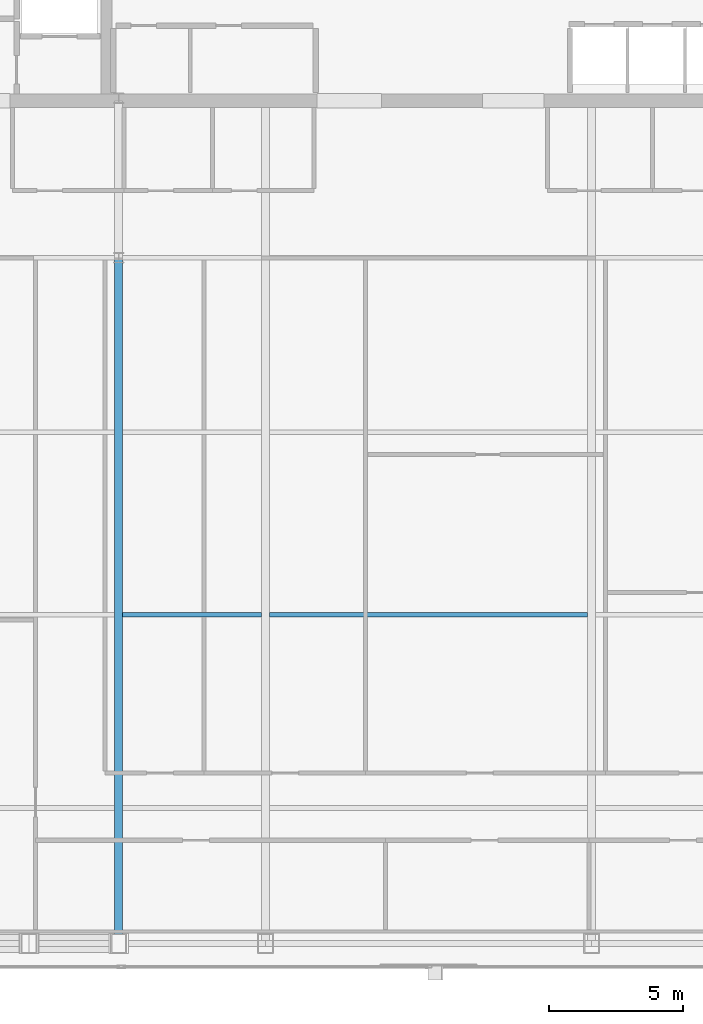
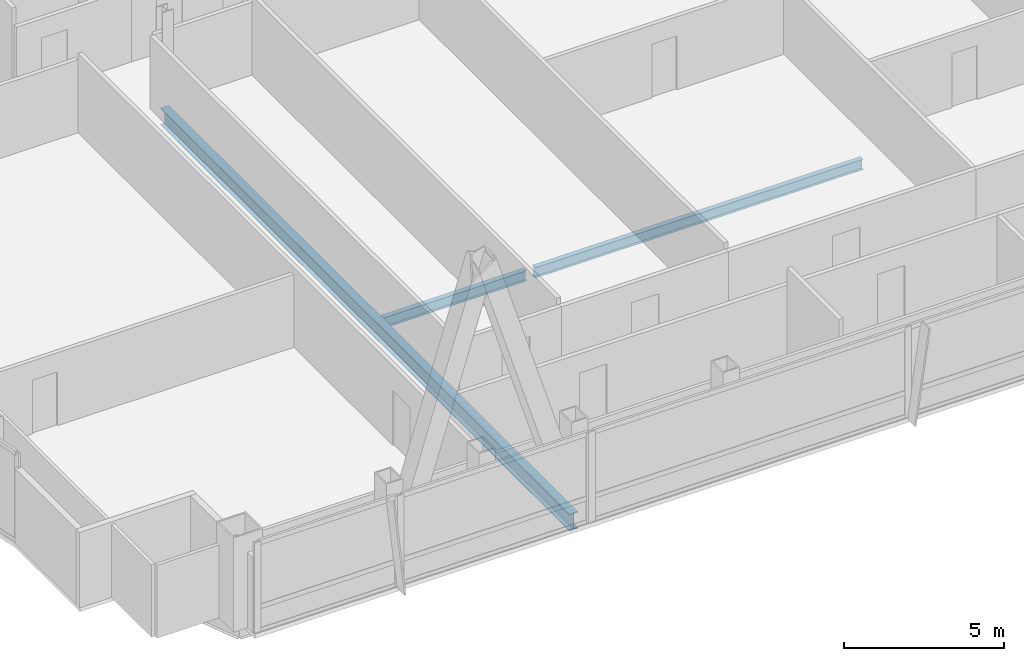
# One storey, part 9 of 31: 3 beams.
"""IFC4 building model written with IfcOpenShell, lengths in metres."""

from ifc_helpers import new_model, si_unit, direction, frame, origin, origin_2d, place, context, subcontext, project, spatial, i_section, extrude, material, material_profile, profile_set, type_object, element, save


model = new_model("IFC4")

# Units and contexts
model_context = context("Model", 3, precision=1e-05, world=origin(), true_north=direction((0.0, 1.0)))
body_context = subcontext(model_context, "Body", "Model", "MODEL_VIEW")
ifc_project = project(units=[si_unit("LENGTHUNIT", "METRE"), si_unit("AREAUNIT", "SQUARE_METRE"), si_unit("VOLUMEUNIT", "CUBIC_METRE"), si_unit("PLANEANGLEUNIT", "RADIAN"), si_unit("MASSUNIT", "GRAM", prefix="KILO")], contexts=[model_context])

# Site, building, storey
site_placement = place(None, origin())
site = spatial("IfcSite", under=ifc_project, at=site_placement, CompositionType="ELEMENT")
building_placement = place(site_placement, origin())
building = spatial("IfcBuilding", under=site, at=building_placement, Name="Khoronbel Lancet Exchange", CompositionType="ELEMENT")
storey_placement = place(building_placement, frame((0.0, 0.0, 273.39990234375)))
storey = spatial("IfcBuildingStorey", under=building, at=storey_placement, Name="L70", CompositionType="ELEMENT", Elevation=273.39990234375)

# Beams
ifc_material = material(Name="Steel S355", Category="steel")
ifc_material_profile_1 = material_profile(ifc_material, i_section(OverallWidth=0.300048828125, OverallDepth=0.64990234375, WebThickness=0.01611328125, FlangeThickness=0.031005859375, at=origin_2d()), Name="HEB 650")
ifc_profile_set_1 = profile_set([ifc_material_profile_1], Name="Steel S355")
beam_type_1 = type_object("IfcBeamType", Name="BM-BG4", PredefinedType="BEAM", material=ifc_profile_set_1)
beam_1_placement = place(storey_placement, frame((24.89990234375, 10.14990234375, -0.48486328125), z_axis=(0.0, 1.0, 0.0), x_axis=(-1.0, 0.0, 0.0)))
element("IfcBeam", 1, at=beam_1_placement, inside=storey, type_object=beam_type_1, Name="Level L70 south primary girder GS2", PredefinedType="BEAM", context=body_context, shape_type="SweptSolid", body=[
    extrude(i_section(OverallWidth=0.300048828125, OverallDepth=0.64990234375, WebThickness=0.01611328125, FlangeThickness=0.031005859375, at=origin_2d()), origin(), (0.0, 0.0, 1.0), 25.550048828125),
])
ifc_material_profile_2 = material_profile(ifc_material, i_section(OverallWidth=0.179931640625, OverallDepth=0.39990234375, WebThickness=0.008544921875, FlangeThickness=0.013427734375, at=origin_2d()), Name="IPE 400")
ifc_profile_set_2 = profile_set([ifc_material_profile_2], Name="Steel S355")
beam_type_2 = type_object("IfcBeamType", Name="BM-BJ5", PredefinedType="JOIST", material=ifc_profile_set_2)
beam_2_placement = place(storey_placement, frame((25.050048828125, 22.39990234375, -0.35986328125), z_axis=(1.0, 0.0, 0.0), x_axis=(0.0, 1.0, 0.0)))
element("IfcBeam", 2, at=beam_2_placement, inside=storey, type_object=beam_type_2, Name="Level L70 secondary composite joist J07", PredefinedType="JOIST", context=body_context, shape_type="SweptSolid", body=[
    extrude(i_section(OverallWidth=0.179931640625, OverallDepth=0.39990234375, WebThickness=0.008544921875, FlangeThickness=0.013427734375, at=origin_2d()), origin(), (0.0, 0.0, 1.0), 5.175048828125),
])
beam_3_placement = place(storey_placement, frame((30.52490234375, 22.39990234375, -0.35986328125), z_axis=(1.0, 0.0, 0.0), x_axis=(0.0, 1.0, 0.0)))
element("IfcBeam", 3, at=beam_3_placement, inside=storey, type_object=beam_type_2, Name="Level L70 secondary composite joist J08", PredefinedType="JOIST", context=body_context, shape_type="SweptSolid", body=[
    extrude(i_section(OverallWidth=0.179931640625, OverallDepth=0.39990234375, WebThickness=0.008544921875, FlangeThickness=0.013427734375, at=origin_2d()), origin(), (0.0, 0.0, 1.0), 11.85009765625),
])

save(model, "model.ifc")
